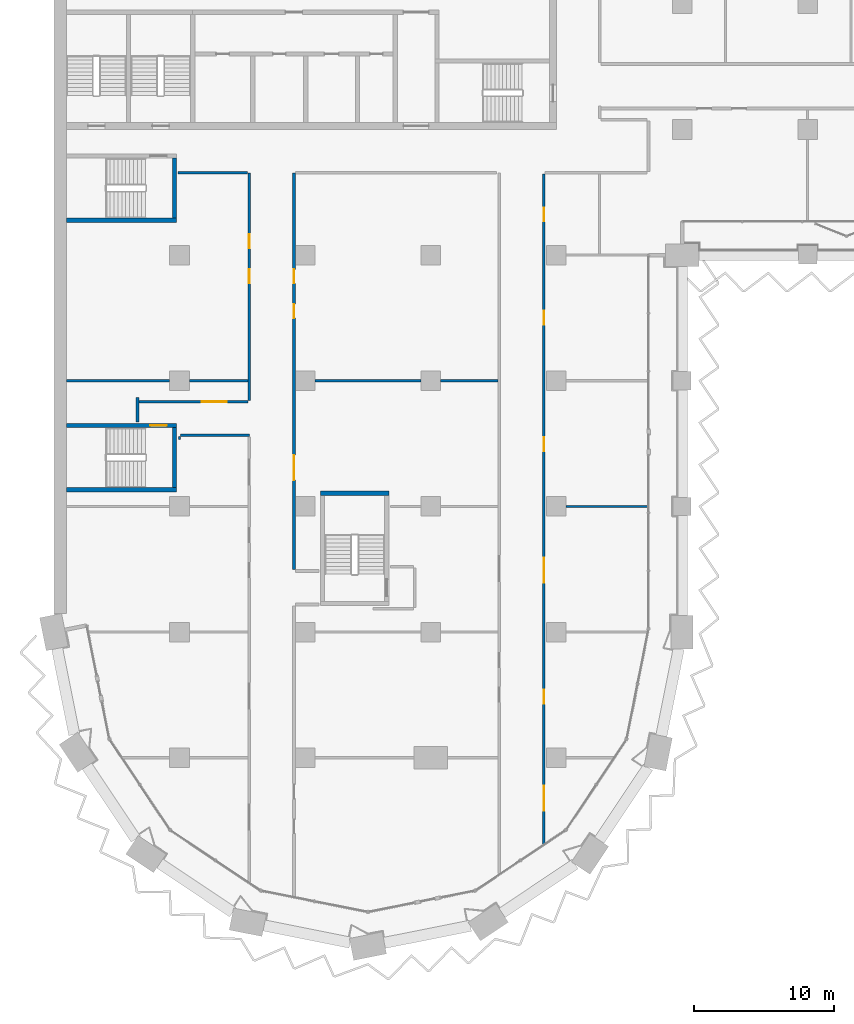
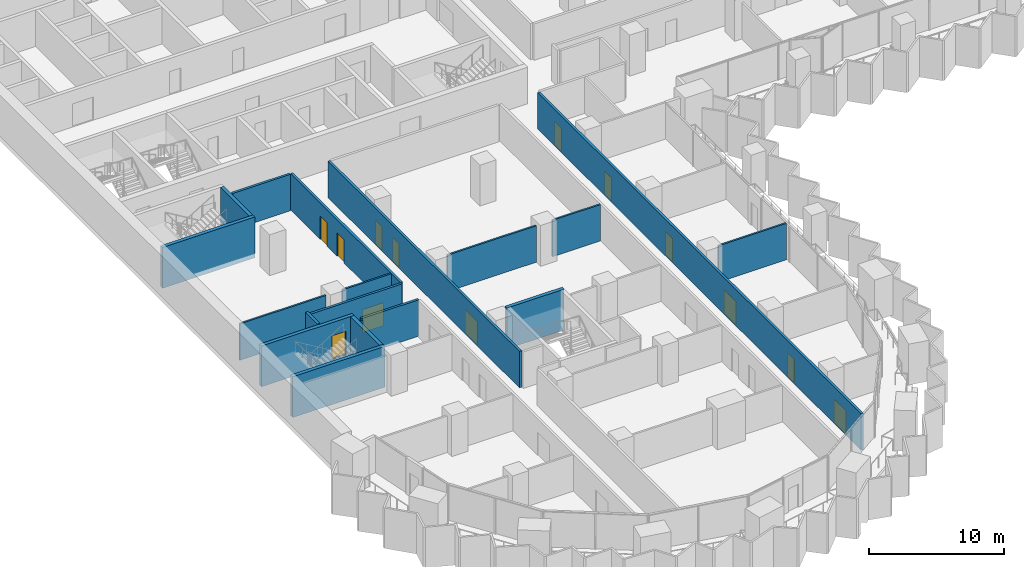
# One storey, part 11 of 28: 19 walls, 13 doors, 13 openings.
"""IFC4 building model written with IfcOpenShell, lengths in metres."""

from ifc_helpers import new_model, si_unit, direction, frame, frame_2d, origin, place, context, subcontext, project, spatial, rectangle, extrude, material, layer, layer_set, type_object, element, fill, save


model = new_model("IFC4")

# Units and contexts
model_context = context("Model", 3, precision=1e-05, world=origin(), true_north=direction((0.0, 1.0)))
body_context = subcontext(model_context, "Body", "Model", "MODEL_VIEW")
ifc_project = project(units=[si_unit("LENGTHUNIT", "METRE"), si_unit("AREAUNIT", "SQUARE_METRE"), si_unit("VOLUMEUNIT", "CUBIC_METRE"), si_unit("PLANEANGLEUNIT", "RADIAN"), si_unit("MASSUNIT", "GRAM", prefix="KILO")], contexts=[model_context])

# Site, building, storey
site_placement = place(None, origin())
site = spatial("IfcSite", under=ifc_project, at=site_placement, CompositionType="ELEMENT")
building_placement = place(site_placement, origin())
building = spatial("IfcBuilding", under=site, at=building_placement, Name="Hunhe Ridgeline Campus", CompositionType="ELEMENT")
storey_placement = place(building_placement, frame((0.0, 0.0, 39.5)))
storey = spatial("IfcBuildingStorey", under=building, at=storey_placement, Name="L08", CompositionType="ELEMENT", Elevation=39.5)

# Wall
ifc_material_1 = material(Name="Gypsum board partition")
ifc_layer_1 = layer(ifc_material_1, 0.199951171875)
ifc_layer_set_1 = layer_set([ifc_layer_1], Name="Corridor partition 200 gypsum board on steel studs")
wall_type_1 = type_object("IfcWallType", Name="Corridor partition 200 gypsum board on steel studs", PredefinedType="PARTITIONING", material=ifc_layer_set_1)
wall_1_placement = place(storey_placement, frame((14.0, 41.10009765625, 0.0), z_axis=(0.0, 0.0, 1.0), x_axis=(-1.0, 0.0, 0.0)))
element("IfcWall", 1, at=wall_1_placement, inside=storey, type_object=wall_type_1, Name="F-L08-wall-020", PredefinedType="PARTITIONING", context=body_context, shape_type="SweptSolid", body=[
    extrude(rectangle(XDim=4.925048828125, YDim=0.199951171875, at=frame_2d((2.46240234375, 0.0))), origin(), (0.0, 0.0, 1.0), 3.300048828125),
])

# Wall, opening, door
wall_2_placement = place(storey_placement, frame((6.10009765625, 43.5, 0.0), z_axis=(0.0, 0.0, 1.0), x_axis=(1.0, 0.0, 0.0)))
wall_2 = element("IfcWall", 2, at=wall_2_placement, inside=storey, type_object=wall_type_1, Name="F-L08-wall-021", PredefinedType="PARTITIONING", context=body_context, shape_type="SweptSolid", body=[
    extrude(rectangle(XDim=7.7998046875, YDim=0.199951171875, at=frame_2d((3.89990234375, 0.0))), origin(), (0.0, 0.0, 1.0), 3.300048828125),
])
opening_1_placement = place(wall_2_placement, frame((4.5, 0.0, 0.0)))
opening_1 = element("IfcOpeningElement", 3, at=opening_1_placement, cuts=wall_2, Name="Opening RD2-016", PredefinedType="OPENING", context=body_context, shape_type="SweptSolid", body=[
    extrude(rectangle(XDim=1.800048828125, YDim=2.10009765625, at=frame_2d((0.89990234375, 1.050048828125))), frame((0.0, 0.10009765625, 0.0), z_axis=(0.0, -1.0, 0.0), x_axis=(1.0, 0.0, 0.0)), (0.0, 0.0, 1.0), 0.199951171875),
])
ifc_material_2 = material(Name="Timber door leaf", Category="wood")
door_type_1 = type_object("IfcDoorType", Name="Double fire door 1800x2100 timber FD60", OperationType="DOUBLE_DOOR_SINGLE_SWING", PredefinedType="DOOR", material=ifc_material_2)
door_1_placement = place(opening_1_placement, origin())
door_1 = element("IfcDoor", 4, at=door_1_placement, inside=storey, type_object=door_type_1, Name="F-L08-door-016", OperationType="DOUBLE_DOOR_SINGLE_SWING", OverallHeight=2.10009765625, OverallWidth=1.800048828125, PredefinedType="DOOR", context=body_context, shape_type="SweptSolid", body=[
    extrude(rectangle(XDim=1.800048828125, YDim=2.10009765625, at=frame_2d((0.89990234375, 1.050048828125))), frame((0.0, 0.02490234375, 0.0), z_axis=(0.0, -1.0, 0.0), x_axis=(1.0, 0.0, 0.0)), (0.0, 0.0, 1.0), 0.050048828125),
])
fill(opening_1, door_1)

# Walls
wall_3_placement = place(storey_placement, frame((13.859375, 59.89990234375, 0.0), z_axis=(0.0, 0.0, 1.0), x_axis=(-1.0, 0.0, 0.0)))
element("IfcWall", 5, at=wall_3_placement, inside=storey, type_object=wall_type_1, Name="F-L08-wall-028", PredefinedType="PARTITIONING", context=body_context, shape_type="SweptSolid", body=[
    extrude(rectangle(XDim=4.955322265625, YDim=0.199951171875, at=frame_2d((2.4775390625, 0.0))), origin(), (0.0, 0.0, 1.0), 3.300048828125),
])
wall_4_placement = place(storey_placement, frame((6.0, 42.053955078125, 0.0), z_axis=(0.0, 0.0, 1.0), x_axis=(0.0, 1.0, 0.0)))
element("IfcWall", 6, at=wall_4_placement, inside=storey, type_object=wall_type_1, Name="F-L08-wall-044", PredefinedType="PARTITIONING", context=body_context, shape_type="SweptSolid", body=[
    extrude(rectangle(XDim=1.74609375, YDim=0.199951171875, at=frame_2d((0.873046875, 0.0))), origin(), (0.0, 0.0, 1.0), 3.300048828125),
])

# Wall, openings, doors
wall_5_placement = place(storey_placement, frame((14.0, 43.60009765625, 0.0), z_axis=(0.0, 0.0, 1.0), x_axis=(0.0, 1.0, 0.0)))
wall_5 = element("IfcWall", 7, at=wall_5_placement, inside=storey, type_object=wall_type_1, Name="F-L08-wall-047", PredefinedType="PARTITIONING", context=body_context, shape_type="SweptSolid", body=[
    extrude(rectangle(XDim=16.2998046875, YDim=0.199951171875, at=frame_2d((8.14990234375, 0.0))), origin(), (0.0, 0.0, 1.0), 3.300048828125),
])
opening_2_placement = place(wall_5_placement, frame((8.40234375, 0.0, 0.0)))
opening_2 = element("IfcOpeningElement", 8, at=opening_2_placement, cuts=wall_5, Name="Opening RD1-019", PredefinedType="OPENING", context=body_context, shape_type="SweptSolid", body=[
    extrude(rectangle(XDim=1.0, YDim=2.10009765625, at=frame_2d((0.5, 1.050048828125))), frame((0.0, 0.10009765625, 0.0), z_axis=(0.0, -1.0, 0.0), x_axis=(1.0, 0.0, 0.0)), (0.0, 0.0, 1.0), 0.199951171875),
])
opening_3_placement = place(wall_5_placement, frame((10.90234375, 0.0, 0.0)))
opening_3 = element("IfcOpeningElement", 9, at=opening_3_placement, cuts=wall_5, Name="Opening RD1-021", PredefinedType="OPENING", context=body_context, shape_type="SweptSolid", body=[
    extrude(rectangle(XDim=1.0, YDim=2.10009765625, at=frame_2d((0.5, 1.050048828125))), frame((0.0, 0.10009765625, 0.0), z_axis=(0.0, -1.0, 0.0), x_axis=(1.0, 0.0, 0.0)), (0.0, 0.0, 1.0), 0.199951171875),
])
door_type_2 = type_object("IfcDoorType", Name="Single fire door 1000x2100 timber FD60", OperationType="NOTDEFINED", PredefinedType="DOOR", material=ifc_material_2)
door_2_placement = place(opening_2_placement, frame((1.0, 0.0, 0.0), z_axis=(0.0, 0.0, 1.0), x_axis=(-1.0, 0.0, 0.0)))
door_2 = element("IfcDoor", 10, at=door_2_placement, inside=storey, type_object=door_type_2, Name="F-L08-door-019", OperationType="SINGLE_SWING_LEFT", OverallHeight=2.10009765625, OverallWidth=1.0, PredefinedType="DOOR", context=body_context, shape_type="SweptSolid", body=[
    extrude(rectangle(XDim=1.0, YDim=2.10009765625, at=frame_2d((0.5, 1.050048828125))), frame((0.0, 0.02490234375, 0.0), z_axis=(0.0, -1.0, 0.0), x_axis=(1.0, 0.0, 0.0)), (0.0, 0.0, 1.0), 0.050048828125),
])
fill(opening_2, door_2)
door_3_placement = place(opening_3_placement, frame((1.0, 0.0, 0.0), z_axis=(0.0, 0.0, 1.0), x_axis=(-1.0, 0.0, 0.0)))
door_3 = element("IfcDoor", 11, at=door_3_placement, inside=storey, type_object=door_type_2, Name="F-L08-door-021", OperationType="SINGLE_SWING_LEFT", OverallHeight=2.10009765625, OverallWidth=1.0, PredefinedType="DOOR", context=body_context, shape_type="SweptSolid", body=[
    extrude(rectangle(XDim=1.0, YDim=2.10009765625, at=frame_2d((0.5, 1.050048828125))), frame((0.0, 0.02490234375, 0.0), z_axis=(0.0, -1.0, 0.0), x_axis=(1.0, 0.0, 0.0)), (0.0, 0.0, 1.0), 0.050048828125),
])
fill(opening_3, door_3)

wall_6_placement = place(storey_placement, frame((17.199951171875, 59.89990234375, 0.0), z_axis=(0.0, 0.0, 1.0), x_axis=(0.0, -1.0, 0.0)))
wall_6 = element("IfcWall", 12, at=wall_6_placement, inside=storey, type_object=wall_type_1, Name="F-L08-wall-049", PredefinedType="PARTITIONING", context=body_context, shape_type="SweptSolid", body=[
    extrude(rectangle(XDim=28.41357421875, YDim=0.199951171875, at=frame_2d((14.206787109375, 0.0))), origin(), (0.0, 0.0, 1.0), 3.300048828125),
])
opening_4_placement = place(wall_6_placement, frame((20.224609375, 0.0, 0.0)))
opening_4 = element("IfcOpeningElement", 13, at=opening_4_placement, cuts=wall_6, Name="Opening RD2-014", PredefinedType="OPENING", context=body_context, shape_type="SweptSolid", body=[
    extrude(rectangle(XDim=1.800048828125, YDim=2.10009765625, at=frame_2d((0.89990234375, 1.050048828125))), frame((0.0, 0.10009765625, 0.0), z_axis=(0.0, -1.0, 0.0), x_axis=(1.0, 0.0, 0.0)), (0.0, 0.0, 1.0), 0.199951171875),
])
opening_5_placement = place(wall_6_placement, frame((9.417724609375, 0.0, 0.0)))
opening_5 = element("IfcOpeningElement", 14, at=opening_5_placement, cuts=wall_6, Name="Opening RD1-018", PredefinedType="OPENING", context=body_context, shape_type="SweptSolid", body=[
    extrude(rectangle(XDim=1.0, YDim=2.10009765625, at=frame_2d((0.5, 1.050048828125))), frame((0.0, 0.10009765625, 0.0), z_axis=(0.0, -1.0, 0.0), x_axis=(1.0, 0.0, 0.0)), (0.0, 0.0, 1.0), 0.199951171875),
])
opening_6_placement = place(wall_6_placement, frame((6.917724609375, 0.0, 0.0)))
opening_6 = element("IfcOpeningElement", 15, at=opening_6_placement, cuts=wall_6, Name="Opening RD1-020", PredefinedType="OPENING", context=body_context, shape_type="SweptSolid", body=[
    extrude(rectangle(XDim=1.0, YDim=2.10009765625, at=frame_2d((0.5, 1.050048828125))), frame((0.0, 0.10009765625, 0.0), z_axis=(0.0, -1.0, 0.0), x_axis=(1.0, 0.0, 0.0)), (0.0, 0.0, 1.0), 0.199951171875),
])
door_4_placement = place(opening_4_placement, origin())
door_4 = element("IfcDoor", 16, at=door_4_placement, inside=storey, type_object=door_type_1, Name="F-L08-door-014", OperationType="DOUBLE_DOOR_SINGLE_SWING", OverallHeight=2.10009765625, OverallWidth=1.800048828125, PredefinedType="DOOR", context=body_context, shape_type="SweptSolid", body=[
    extrude(rectangle(XDim=1.800048828125, YDim=2.10009765625, at=frame_2d((0.89990234375, 1.050048828125))), frame((0.0, 0.02490234375, 0.0), z_axis=(0.0, -1.0, 0.0), x_axis=(1.0, 0.0, 0.0)), (0.0, 0.0, 1.0), 0.050048828125),
])
fill(opening_4, door_4)
door_5_placement = place(opening_5_placement, frame((1.0, 0.0, 0.0), z_axis=(0.0, 0.0, 1.0), x_axis=(-1.0, 0.0, 0.0)))
door_5 = element("IfcDoor", 17, at=door_5_placement, inside=storey, type_object=door_type_2, Name="F-L08-door-018", OperationType="SINGLE_SWING_LEFT", OverallHeight=2.10009765625, OverallWidth=1.0, PredefinedType="DOOR", context=body_context, shape_type="SweptSolid", body=[
    extrude(rectangle(XDim=1.0, YDim=2.10009765625, at=frame_2d((0.5, 1.050048828125))), frame((0.0, 0.02490234375, 0.0), z_axis=(0.0, -1.0, 0.0), x_axis=(1.0, 0.0, 0.0)), (0.0, 0.0, 1.0), 0.050048828125),
])
fill(opening_5, door_5)
door_6_placement = place(opening_6_placement, frame((1.0, 0.0, 0.0), z_axis=(0.0, 0.0, 1.0), x_axis=(-1.0, 0.0, 0.0)))
door_6 = element("IfcDoor", 18, at=door_6_placement, inside=storey, type_object=door_type_2, Name="F-L08-door-020", OperationType="SINGLE_SWING_RIGHT", OverallHeight=2.10009765625, OverallWidth=1.0, PredefinedType="DOOR", context=body_context, shape_type="SweptSolid", body=[
    extrude(rectangle(XDim=1.0, YDim=2.10009765625, at=frame_2d((0.5, 1.050048828125))), frame((0.0, 0.02490234375, 0.0), z_axis=(0.0, -1.0, 0.0), x_axis=(1.0, 0.0, 0.0)), (0.0, 0.0, 1.0), 0.050048828125),
])
fill(opening_6, door_6)

wall_7_placement = place(storey_placement, frame((35.10009765625, 59.800048828125, 0.0), z_axis=(0.0, 0.0, 1.0), x_axis=(0.0, -1.0, 0.0)))
wall_7 = element("IfcWall", 19, at=wall_7_placement, inside=storey, type_object=wall_type_1, Name="F-L08-wall-052", PredefinedType="PARTITIONING", context=body_context, shape_type="SweptSolid", body=[
    extrude(rectangle(XDim=47.968994140625, YDim=0.199951171875, at=frame_2d((23.984375, 0.0))), origin(), (0.0, 0.0, 1.0), 3.300048828125),
])
opening_7_placement = place(wall_7_placement, frame((43.803955078125, 0.0, 0.0)))
opening_7 = element("IfcOpeningElement", 20, at=opening_7_placement, cuts=wall_7, Name="Opening RD2-003", PredefinedType="OPENING", context=body_context, shape_type="SweptSolid", body=[
    extrude(rectangle(XDim=1.800048828125, YDim=2.10009765625, at=frame_2d((0.89990234375, 1.050048828125))), frame((0.0, 0.10009765625, 0.0), z_axis=(0.0, -1.0, 0.0), x_axis=(1.0, 0.0, 0.0)), (0.0, 0.0, 1.0), 0.199951171875),
])
opening_8_placement = place(wall_7_placement, frame((36.9208984375, 0.0, 0.0)))
opening_8 = element("IfcOpeningElement", 21, at=opening_8_placement, cuts=wall_7, Name="Opening RD1-006", PredefinedType="OPENING", context=body_context, shape_type="SweptSolid", body=[
    extrude(rectangle(XDim=1.0, YDim=2.10009765625, at=frame_2d((0.5, 1.050048828125))), frame((0.0, 0.10009765625, 0.0), z_axis=(0.0, -1.0, 0.0), x_axis=(1.0, 0.0, 0.0)), (0.0, 0.0, 1.0), 0.199951171875),
])
opening_9_placement = place(wall_7_placement, frame((27.4794921875, 0.0, 0.0)))
opening_9 = element("IfcOpeningElement", 22, at=opening_9_placement, cuts=wall_7, Name="Opening RD2-010", PredefinedType="OPENING", context=body_context, shape_type="SweptSolid", body=[
    extrude(rectangle(XDim=1.800048828125, YDim=2.10009765625, at=frame_2d((0.89990234375, 1.050048828125))), frame((0.0, 0.10009765625, 0.0), z_axis=(0.0, -1.0, 0.0), x_axis=(1.0, 0.0, 0.0)), (0.0, 0.0, 1.0), 0.199951171875),
])
opening_10_placement = place(wall_7_placement, frame((18.838134765625, 0.0, 0.0)))
opening_10 = element("IfcOpeningElement", 23, at=opening_10_placement, cuts=wall_7, Name="Opening RD1-015", PredefinedType="OPENING", context=body_context, shape_type="SweptSolid", body=[
    extrude(rectangle(XDim=1.0, YDim=2.10009765625, at=frame_2d((0.5, 1.050048828125))), frame((0.0, 0.10009765625, 0.0), z_axis=(0.0, -1.0, 0.0), x_axis=(1.0, 0.0, 0.0)), (0.0, 0.0, 1.0), 0.199951171875),
])
opening_11_placement = place(wall_7_placement, frame((9.797119140625, 0.0, 0.0)))
opening_11 = element("IfcOpeningElement", 24, at=opening_11_placement, cuts=wall_7, Name="Opening RD1-017", PredefinedType="OPENING", context=body_context, shape_type="SweptSolid", body=[
    extrude(rectangle(XDim=1.0, YDim=2.10009765625, at=frame_2d((0.5, 1.050048828125))), frame((0.0, 0.10009765625, 0.0), z_axis=(0.0, -1.0, 0.0), x_axis=(1.0, 0.0, 0.0)), (0.0, 0.0, 1.0), 0.199951171875),
])
opening_12_placement = place(wall_7_placement, frame((2.38818359375, 0.0, 0.0)))
opening_12 = element("IfcOpeningElement", 25, at=opening_12_placement, cuts=wall_7, Name="Opening RD1-022", PredefinedType="OPENING", context=body_context, shape_type="SweptSolid", body=[
    extrude(rectangle(XDim=1.0, YDim=2.10009765625, at=frame_2d((0.5, 1.050048828125))), frame((0.0, 0.10009765625, 0.0), z_axis=(0.0, -1.0, 0.0), x_axis=(1.0, 0.0, 0.0)), (0.0, 0.0, 1.0), 0.199951171875),
])
door_7_placement = place(opening_7_placement, origin())
door_7 = element("IfcDoor", 26, at=door_7_placement, inside=storey, type_object=door_type_1, Name="F-L08-door-003", OperationType="DOUBLE_DOOR_SINGLE_SWING", OverallHeight=2.10009765625, OverallWidth=1.800048828125, PredefinedType="DOOR", context=body_context, shape_type="SweptSolid", body=[
    extrude(rectangle(XDim=1.800048828125, YDim=2.10009765625, at=frame_2d((0.89990234375, 1.050048828125))), frame((0.0, 0.02490234375, 0.0), z_axis=(0.0, -1.0, 0.0), x_axis=(1.0, 0.0, 0.0)), (0.0, 0.0, 1.0), 0.050048828125),
])
fill(opening_7, door_7)
door_8_placement = place(opening_9_placement, origin())
door_8 = element("IfcDoor", 27, at=door_8_placement, inside=storey, type_object=door_type_1, Name="F-L08-door-010", OperationType="DOUBLE_DOOR_SINGLE_SWING", OverallHeight=2.10009765625, OverallWidth=1.800048828125, PredefinedType="DOOR", context=body_context, shape_type="SweptSolid", body=[
    extrude(rectangle(XDim=1.800048828125, YDim=2.10009765625, at=frame_2d((0.89990234375, 1.050048828125))), frame((0.0, 0.02490234375, 0.0), z_axis=(0.0, -1.0, 0.0), x_axis=(1.0, 0.0, 0.0)), (0.0, 0.0, 1.0), 0.050048828125),
])
fill(opening_9, door_8)
door_9_placement = place(opening_8_placement, origin())
door_9 = element("IfcDoor", 28, at=door_9_placement, inside=storey, type_object=door_type_2, Name="F-L08-door-006", OperationType="SINGLE_SWING_LEFT", OverallHeight=2.10009765625, OverallWidth=1.0, PredefinedType="DOOR", context=body_context, shape_type="SweptSolid", body=[
    extrude(rectangle(XDim=1.0, YDim=2.10009765625, at=frame_2d((0.5, 1.050048828125))), frame((0.0, 0.02490234375, 0.0), z_axis=(0.0, -1.0, 0.0), x_axis=(1.0, 0.0, 0.0)), (0.0, 0.0, 1.0), 0.050048828125),
])
fill(opening_8, door_9)
door_10_placement = place(opening_10_placement, origin())
door_10 = element("IfcDoor", 29, at=door_10_placement, inside=storey, type_object=door_type_2, Name="F-L08-door-015", OperationType="SINGLE_SWING_LEFT", OverallHeight=2.10009765625, OverallWidth=1.0, PredefinedType="DOOR", context=body_context, shape_type="SweptSolid", body=[
    extrude(rectangle(XDim=1.0, YDim=2.10009765625, at=frame_2d((0.5, 1.050048828125))), frame((0.0, 0.02490234375, 0.0), z_axis=(0.0, -1.0, 0.0), x_axis=(1.0, 0.0, 0.0)), (0.0, 0.0, 1.0), 0.050048828125),
])
fill(opening_10, door_10)
door_11_placement = place(opening_11_placement, origin())
door_11 = element("IfcDoor", 30, at=door_11_placement, inside=storey, type_object=door_type_2, Name="F-L08-door-017", OperationType="SINGLE_SWING_LEFT", OverallHeight=2.10009765625, OverallWidth=1.0, PredefinedType="DOOR", context=body_context, shape_type="SweptSolid", body=[
    extrude(rectangle(XDim=1.0, YDim=2.10009765625, at=frame_2d((0.5, 1.050048828125))), frame((0.0, 0.02490234375, 0.0), z_axis=(0.0, -1.0, 0.0), x_axis=(1.0, 0.0, 0.0)), (0.0, 0.0, 1.0), 0.050048828125),
])
fill(opening_11, door_11)
door_12_placement = place(opening_12_placement, origin())
door_12 = element("IfcDoor", 31, at=door_12_placement, inside=storey, type_object=door_type_2, Name="F-L08-door-022", OperationType="SINGLE_SWING_LEFT", OverallHeight=2.10009765625, OverallWidth=1.0, PredefinedType="DOOR", context=body_context, shape_type="SweptSolid", body=[
    extrude(rectangle(XDim=1.0, YDim=2.10009765625, at=frame_2d((0.5, 1.050048828125))), frame((0.0, 0.02490234375, 0.0), z_axis=(0.0, -1.0, 0.0), x_axis=(1.0, 0.0, 0.0)), (0.0, 0.0, 1.0), 0.050048828125),
])
fill(opening_12, door_12)

# Walls
ifc_layer_2 = layer(ifc_material_1, 0.14990234375)
ifc_layer_set_2 = layer_set([ifc_layer_2], Name="Room partition 150 gypsum board on steel studs")
wall_type_2 = type_object("IfcWallType", Name="Room partition 150 gypsum board on steel studs", PredefinedType="PARTITIONING", material=ifc_layer_set_2)
wall_8_placement = place(storey_placement, frame((36.699951171875, 36.0, 0.0), z_axis=(0.0, 0.0, 1.0), x_axis=(1.0, 0.0, 0.0)))
element("IfcWall", 32, at=wall_8_placement, inside=storey, type_object=wall_type_2, Name="F-L08-wall-019", PredefinedType="PARTITIONING", context=body_context, shape_type="SweptSolid", body=[
    extrude(rectangle(XDim=5.844970703125, YDim=0.14990234375, at=frame_2d((2.92236328125, 0.0))), origin(), (0.0, 0.0, 1.0), 3.300048828125),
])
wall_9_placement = place(storey_placement, frame((0.919921875, 45.0, 0.0), z_axis=(0.0, 0.0, 1.0), x_axis=(1.0, 0.0, 0.0)))
element("IfcWall", 33, at=wall_9_placement, inside=storey, type_object=wall_type_2, Name="F-L08-wall-022", PredefinedType="PARTITIONING", context=body_context, shape_type="SweptSolid", body=[
    extrude(rectangle(XDim=7.380126953125, YDim=0.14990234375, at=frame_2d((3.68994140625, 0.0))), origin(), (0.0, 0.0, 1.0), 3.300048828125),
])
wall_10_placement = place(storey_placement, frame((9.699951171875, 45.0, 0.0), z_axis=(0.0, 0.0, 1.0), x_axis=(1.0, 0.0, 0.0)))
element("IfcWall", 34, at=wall_10_placement, inside=storey, type_object=wall_type_2, Name="F-L08-wall-023", PredefinedType="PARTITIONING", context=body_context, shape_type="SweptSolid", body=[
    extrude(rectangle(XDim=4.199951171875, YDim=0.14990234375, at=frame_2d((2.10009765625, 0.0))), origin(), (0.0, 0.0, 1.0), 3.300048828125),
])
wall_11_placement = place(storey_placement, frame((18.699951171875, 45.0, 0.0), z_axis=(0.0, 0.0, 1.0), x_axis=(1.0, 0.0, 0.0)))
element("IfcWall", 35, at=wall_11_placement, inside=storey, type_object=wall_type_2, Name="F-L08-wall-024", PredefinedType="PARTITIONING", context=body_context, shape_type="SweptSolid", body=[
    extrude(rectangle(XDim=7.60009765625, YDim=0.14990234375, at=frame_2d((3.800048828125, 0.0))), origin(), (0.0, 0.0, 1.0), 3.300048828125),
])
wall_12_placement = place(storey_placement, frame((27.699951171875, 45.0, 0.0), z_axis=(0.0, 0.0, 1.0), x_axis=(1.0, 0.0, 0.0)))
element("IfcWall", 36, at=wall_12_placement, inside=storey, type_object=wall_type_2, Name="F-L08-wall-025", PredefinedType="PARTITIONING", context=body_context, shape_type="SweptSolid", body=[
    extrude(rectangle(XDim=4.10009765625, YDim=0.14990234375, at=frame_2d((2.050048828125, 0.0))), origin(), (0.0, 0.0, 1.0), 3.300048828125),
])
wall_13_placement = place(storey_placement, frame((9.0, 41.0, 0.0), z_axis=(0.0, 0.0, 1.0), x_axis=(0.0, -1.0, 0.0)))
element("IfcWall", 37, at=wall_13_placement, inside=storey, type_object=wall_type_2, Name="F-L08-wall-045", PredefinedType="PARTITIONING", context=body_context, shape_type="SweptSolid", body=[
    extrude(rectangle(XDim=0.199951171875, YDim=0.14990234375, at=frame_2d((0.10009765625, 0.0))), origin(), (0.0, 0.0, 1.0), 3.300048828125),
])
ifc_material_3 = material(Name="Concrete C80", Category="concrete")
ifc_layer_3 = layer(ifc_material_3, 0.300048828125)
ifc_layer_set_3 = layer_set([ifc_layer_3], Name="Stair wall 300 reinforced concrete C80")
wall_type_3 = type_object("IfcWallType", Name="Stair wall 300 reinforced concrete C80", PredefinedType="SOLIDWALL", material=ifc_layer_set_3)
wall_14_placement = place(storey_placement, frame((19.10009765625, 36.949951171875, -0.39990234375), z_axis=(0.0, 0.0, 1.0), x_axis=(1.0, 0.0, 0.0)))
element("IfcWall", 38, at=wall_14_placement, inside=storey, type_object=wall_type_3, Name="L08 core wall 2", PredefinedType="SOLIDWALL", context=body_context, shape_type="SweptSolid", body=[
    extrude(rectangle(XDim=4.89990234375, YDim=0.300048828125, at=frame_2d((2.449951171875, 0.0))), origin(), (0.0, 0.0, 1.0), 3.699951171875),
])
wall_15_placement = place(storey_placement, frame((0.89990234375, 37.199951171875, -0.39990234375), z_axis=(0.0, 0.0, 1.0), x_axis=(1.0, 0.0, 0.0)))
element("IfcWall", 39, at=wall_15_placement, inside=storey, type_object=wall_type_3, Name="L08 core wall 3", PredefinedType="SOLIDWALL", context=body_context, shape_type="SweptSolid", body=[
    extrude(rectangle(XDim=7.900146484375, YDim=0.300048828125, at=frame_2d((3.9501953125, 0.0))), origin(), (0.0, 0.0, 1.0), 3.699951171875),
])

# Wall, opening, door
wall_16_placement = place(storey_placement, frame((0.89990234375, 41.800048828125, -0.39990234375), z_axis=(0.0, 0.0, 1.0), x_axis=(1.0, 0.0, 0.0)))
wall_16 = element("IfcWall", 40, at=wall_16_placement, inside=storey, type_object=wall_type_3, Name="L08 core wall 4", PredefinedType="SOLIDWALL", context=body_context, shape_type="SweptSolid", body=[
    extrude(rectangle(XDim=7.900146484375, YDim=0.300048828125, at=frame_2d((3.9501953125, 0.0))), origin(), (0.0, 0.0, 1.0), 3.699951171875),
])
opening_13_placement = place(wall_16_placement, frame((6.0, 0.0, 0.39990234375)))
opening_13 = element("IfcOpeningElement", 41, at=opening_13_placement, cuts=wall_16, Name="Opening CD21", PredefinedType="OPENING", context=body_context, shape_type="SweptSolid", body=[
    extrude(rectangle(XDim=1.199951171875, YDim=2.10009765625, at=frame_2d((0.60009765625, 1.050048828125))), frame((0.0, 0.14990234375, 0.0), z_axis=(0.0, -1.0, 0.0), x_axis=(1.0, 0.0, 0.0)), (0.0, 0.0, 1.0), 0.300048828125),
])
ifc_material_4 = material(Name="Hollow metal fire door leaf")
door_type_3 = type_object("IfcDoorType", Name="Stair door 1200x2100 FD60", OperationType="SINGLE_SWING_LEFT", PredefinedType="DOOR", material=ifc_material_4)
door_13_placement = place(opening_13_placement, origin())
door_13 = element("IfcDoor", 42, at=door_13_placement, inside=storey, type_object=door_type_3, Name="L08 door W1", OperationType="SINGLE_SWING_LEFT", OverallHeight=2.10009765625, OverallWidth=1.199951171875, PredefinedType="DOOR", context=body_context, shape_type="SweptSolid", body=[
    extrude(rectangle(XDim=1.199951171875, YDim=2.10009765625, at=frame_2d((0.60009765625, 1.050048828125))), frame((0.0, 0.02490234375, 0.0), z_axis=(0.0, -1.0, 0.0), x_axis=(1.0, 0.0, 0.0)), (0.0, 0.0, 1.0), 0.050048828125),
])
fill(opening_13, door_13)

# Walls
wall_17_placement = place(storey_placement, frame((0.89990234375, 56.5, -0.39990234375), z_axis=(0.0, 0.0, 1.0), x_axis=(1.0, 0.0, 0.0)))
element("IfcWall", 43, at=wall_17_placement, inside=storey, type_object=wall_type_3, Name="L08 core wall 5", PredefinedType="SOLIDWALL", context=body_context, shape_type="SweptSolid", body=[
    extrude(rectangle(XDim=7.900146484375, YDim=0.300048828125, at=frame_2d((3.9501953125, 0.0))), origin(), (0.0, 0.0, 1.0), 3.699951171875),
])
wall_18_placement = place(storey_placement, frame((8.64990234375, 37.35009765625, -0.39990234375), z_axis=(0.0, 0.0, 1.0), x_axis=(0.0, 1.0, 0.0)))
element("IfcWall", 44, at=wall_18_placement, inside=storey, type_object=wall_type_3, Name="L08 core wall 41", PredefinedType="SOLIDWALL", context=body_context, shape_type="SweptSolid", body=[
    extrude(rectangle(XDim=4.2998046875, YDim=0.300048828125, at=frame_2d((2.14990234375, 0.0))), origin(), (0.0, 0.0, 1.0), 3.699951171875),
])
wall_19_placement = place(storey_placement, frame((8.64990234375, 56.64990234375, -0.39990234375), z_axis=(0.0, 0.0, 1.0), x_axis=(0.0, 1.0, 0.0)))
element("IfcWall", 45, at=wall_19_placement, inside=storey, type_object=wall_type_3, Name="L08 core wall 42", PredefinedType="SOLIDWALL", context=body_context, shape_type="SweptSolid", body=[
    extrude(rectangle(XDim=4.300048828125, YDim=0.300048828125, at=frame_2d((2.14990234375, 0.0))), origin(), (0.0, 0.0, 1.0), 3.699951171875),
])

save(model, "model.ifc")
